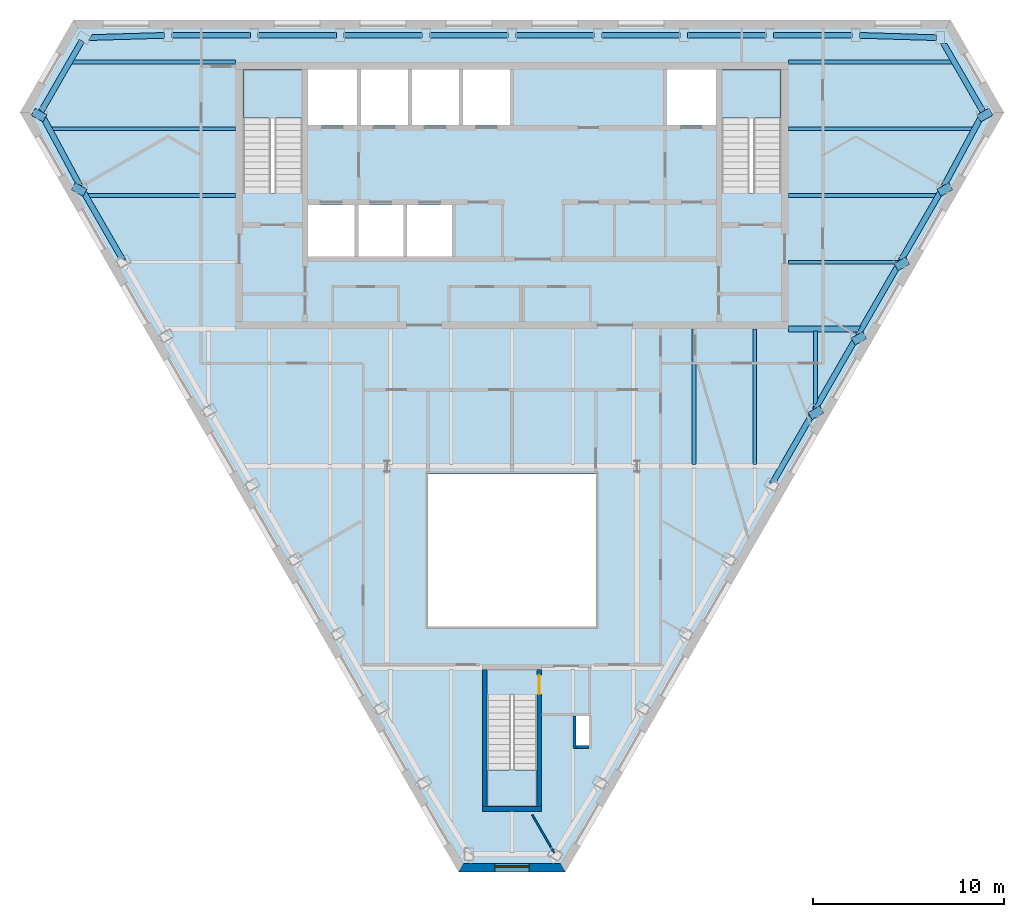
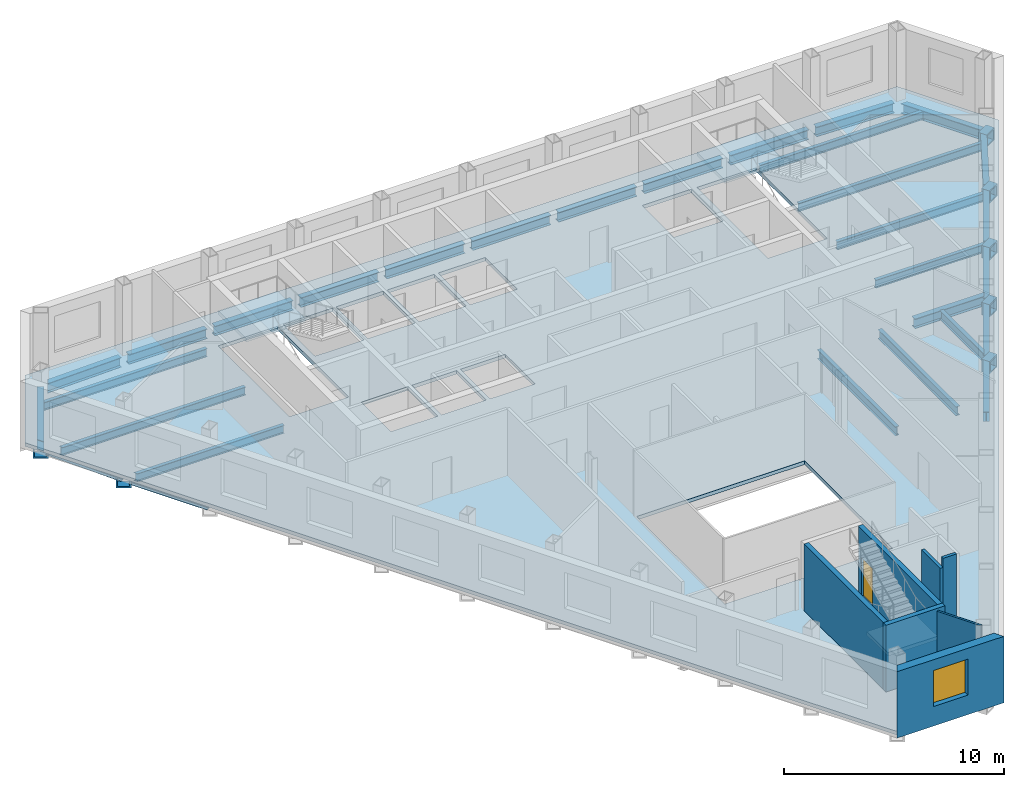
# One storey, part 3 of 10: 37 beams, 7 walls, 4 slabs, 1 door, 1 window, 2 openings, 3 elements without a shape of their own.
"""IFC4 building model written with IfcOpenShell, lengths in metres."""

import ifcopenshell
import ifcopenshell.guid

model = None  # the IFC model being written
_history = None  # IfcOwnerHistory: only IFC2X3 demands one
_inside = {}  # id of a spatial element -> (the spatial element, [elements in it])
_under = {}  # id of a project, library or spatial element -> (it, [spatial elements below it])
_declared = {}  # id of a project -> (the project, [libraries it declares])
_typed = {}  # id of a type object -> (the type object, [elements of that type])
_made_of = {}  # id of a material, layer set ... -> (it, [elements and type objects made of it])


def new_model(schema):
    """Start an empty IFC model of exactly this schema.

    Asked for "IFC4X3", IfcOpenShell would pick the latest addendum, in which some entities
    have other attributes; the version numbers below select the first issue.
    IFC2X3 requires an IfcOwnerHistory on every rooted entity: one is made here for all.
    """
    global model, _history
    if schema == "IFC4X3":
        model = ifcopenshell.file(schema_version=(4, 3, 0, 0))
    else:
        model = ifcopenshell.file(schema=schema)
    _inside.clear()
    _under.clear()
    _declared.clear()
    _typed.clear()
    _made_of.clear()
    _history = None
    if model.schema == "IFC2X3":
        org = make("IfcOrganization", Name="unknown")
        user = make(
            "IfcPersonAndOrganization",
            ThePerson=make("IfcPerson", FamilyName="unknown"),
            TheOrganization=org,
        )
        app = make(
            "IfcApplication",
            ApplicationDeveloper=org,
            Version="unknown",
            ApplicationFullName="unknown",
            ApplicationIdentifier="unknown",
        )
        _history = make(
            "IfcOwnerHistory",
            OwningUser=user,
            OwningApplication=app,
            ChangeAction="ADDED",
            CreationDate=0,
        )
    return model


def make(cls, **values):
    """One entity of the class cls with the attributes given. An attribute that is None is left unset."""
    return model.create_entity(
        cls, **{name: value for name, value in values.items() if value is not None}
    )


def rooted(cls, **values):
    """An entity with a GlobalId (a new one), such as an element, a storey or a relation."""
    return make(cls, GlobalId=ifcopenshell.guid.new(), OwnerHistory=_history, **values)


def si_unit(unit_type, name, prefix=None):
    """IfcSIUnit, for example si_unit("LENGTHUNIT", "METRE", prefix="MILLI")."""
    return make("IfcSIUnit", UnitType=unit_type, Prefix=prefix, Name=name)


def assignment(units):
    """IfcUnitAssignment: the units of a project."""
    return None if units is None else make("IfcUnitAssignment", Units=units)


def point(xyz):
    """IfcCartesianPoint."""
    return None if xyz is None else make("IfcCartesianPoint", Coordinates=xyz)


def direction(xyz):
    """IfcDirection."""
    return None if xyz is None else make("IfcDirection", DirectionRatios=xyz)


def frame(location, z_axis=None, x_axis=None):
    """IfcAxis2Placement3D, a coordinate frame: its origin and axes. An axis left out is left unset."""
    return make(
        "IfcAxis2Placement3D",
        Location=point(location),
        Axis=direction(z_axis),
        RefDirection=direction(x_axis),
    )


def frame_2d(location, x_axis=None):
    """IfcAxis2Placement2D, a coordinate frame in the plane: its origin and x axis."""
    return make(
        "IfcAxis2Placement2D", Location=point(location), RefDirection=direction(x_axis)
    )


def origin():
    """The frame at (0, 0, 0) with its axes left unset."""
    return frame((0.0, 0.0, 0.0))


def origin_2d():
    """The frame at (0, 0) in the plane with its x axis left unset."""
    return frame_2d((0.0, 0.0))


def place(relative_to, where):
    """IfcLocalPlacement: puts the frame where relative to a parent placement (None: the world)."""
    return make(
        "IfcLocalPlacement", PlacementRelTo=relative_to, RelativePlacement=where
    )


def context(
    kind, dimensions, precision=None, world=None, true_north=None, identifier=None
):
    """IfcGeometricRepresentationContext, for example the 3D "Model" context."""
    return make(
        "IfcGeometricRepresentationContext",
        ContextIdentifier=identifier,
        ContextType=kind,
        CoordinateSpaceDimension=dimensions,
        Precision=precision,
        WorldCoordinateSystem=world,
        TrueNorth=true_north,
    )


def subcontext(parent, identifier, kind, view, scale=None):
    """IfcGeometricRepresentationSubContext, for example "Body" below "Model"."""
    return make(
        "IfcGeometricRepresentationSubContext",
        ContextIdentifier=identifier,
        ContextType=kind,
        ParentContext=parent,
        TargetScale=scale,
        TargetView=view,
    )


def project(units=None, contexts=None):
    """IfcProject with its units and contexts."""
    return rooted(
        "IfcProject",
        Name="project",
        RepresentationContexts=contexts,
        UnitsInContext=assignment(units),
    )


def spatial(cls, under=None, at=None, **own):
    """A site, building, storey or space (cls), placed at a placement, below another one or the project."""
    s = rooted(cls, ObjectPlacement=at, **own)
    if under is not None:
        _under.setdefault(under.id(), (under, []))[1].append(s)
    return s


def polyline(points):
    """IfcPolyline through the points."""
    return make("IfcPolyline", Points=[point(p) for p in points])


def profile(cls, at=None, kind="AREA", **sizes):
    """A parametric profile (cls). Its sizes go by their IFC names, for example OverallWidth=200.0."""
    return make(cls, ProfileType=kind, Position=at, **sizes)


def rectangle(**sizes):
    """IfcRectangleProfileDef."""
    return profile("IfcRectangleProfileDef", **sizes)


def hollow_rectangle(**sizes):
    """IfcRectangleHollowProfileDef."""
    return profile("IfcRectangleHollowProfileDef", **sizes)


def i_section(**sizes):
    """IfcIShapeProfileDef."""
    return profile("IfcIShapeProfileDef", **sizes)


def outline(outer, holes=None, kind="AREA"):
    """IfcArbitraryClosedProfileDef: a profile drawn as a closed curve; with holes, ...WithVoids."""
    if holes is None:
        return make("IfcArbitraryClosedProfileDef", ProfileType=kind, OuterCurve=outer)
    return make(
        "IfcArbitraryProfileDefWithVoids",
        ProfileType=kind,
        OuterCurve=outer,
        InnerCurves=holes,
    )


def extrude(swept, where, along, depth):
    """IfcExtrudedAreaSolid: the profile swept, set in the frame where, extruded along a direction by depth."""
    return make(
        "IfcExtrudedAreaSolid",
        SweptArea=swept,
        Position=where,
        ExtrudedDirection=direction(along),
        Depth=depth,
    )


def clip(a, b, op="DIFFERENCE"):
    """IfcBooleanClippingResult: the solid a cut by the half space b."""
    return make(
        "IfcBooleanClippingResult", Operator=op, FirstOperand=a, SecondOperand=b
    )


def halfspace(plane, agree):
    """IfcHalfSpaceSolid: all space on one side of the plane z = 0 of the frame plane."""
    return make(
        "IfcHalfSpaceSolid",
        BaseSurface=make("IfcPlane", Position=plane),
        AgreementFlag=agree,
    )


def shape(context_of_items, identifier, shape_type, items):
    """IfcShapeRepresentation: the items that make up one representation, for example the "Body"."""
    return make(
        "IfcShapeRepresentation",
        ContextOfItems=context_of_items,
        RepresentationIdentifier=identifier,
        RepresentationType=shape_type,
        Items=items,
    )


def material(Name=None, Category=None):
    """IfcMaterial."""
    return make("IfcMaterial", Name=Name, Category=Category)


def layer(
    of_material, thickness, ventilated=None, Name=None, Category=None, Priority=None
):
    """IfcMaterialLayer: one layer of a wall or slab, of a material (None: an air gap)."""
    return make(
        "IfcMaterialLayer",
        Material=of_material,
        LayerThickness=thickness,
        IsVentilated=ventilated,
        Name=Name,
        Category=Category,
        Priority=Priority,
    )


def layer_set(layers, Name=None):
    """IfcMaterialLayerSet."""
    return make("IfcMaterialLayerSet", MaterialLayers=layers, LayerSetName=Name)


def material_profile(
    of_material, cross_section, Name=None, Category=None, Priority=None
):
    """IfcMaterialProfile: a cross section and its material."""
    return make(
        "IfcMaterialProfile",
        Name=Name,
        Material=of_material,
        Profile=cross_section,
        Priority=Priority,
        Category=Category,
    )


def profile_set(profiles, Name=None, composite=None):
    """IfcMaterialProfileSet."""
    return make(
        "IfcMaterialProfileSet",
        Name=Name,
        MaterialProfiles=profiles,
        CompositeProfile=composite,
    )


def made_of(thing, what):
    """Note that an element or type object is made of a material, layer set ...; save() writes the relation."""
    if what is not None:
        _made_of.setdefault(what.id(), (what, []))[1].append(thing)
    return thing


def type_object(cls, material=None, **own):
    """A type object (cls), such as IfcWallType, which elements share."""
    return made_of(rooted(cls, **own), material)


def element(
    cls,
    number,
    at=None,
    inside=None,
    cuts=None,
    type_object=None,
    material=None,
    context=None,
    identifier="Body",
    shape_type=None,
    held_by="IfcProductDefinitionShape",
    body=None,
    shapes=None,
    **own,
):
    """One element of the class cls, such as IfcWall. Its Tag is "e" and its number.

    at: its placement. inside: the storey or other place that contains it. cuts: it is an
    opening in that element (IfcRelVoidsElement). A single representation is given by context,
    identifier, shape_type and body (its items); several are given by shapes. held_by: the class
    of the entity that holds the representations. save() writes the other relations.
    """
    e = rooted(cls, Tag="e%d" % number, ObjectPlacement=at, **own)
    if body is not None:
        shapes = [shape(context, identifier, shape_type, body)]
    if shapes is not None:
        e.Representation = make(held_by, Representations=shapes)
    if inside is not None:
        _inside.setdefault(inside.id(), (inside, []))[1].append(e)
    if cuts is not None:
        rooted(
            "IfcRelVoidsElement", RelatingBuildingElement=cuts, RelatedOpeningElement=e
        )
    if type_object is not None:
        _typed.setdefault(type_object.id(), (type_object, []))[1].append(e)
    return made_of(e, material)


def fill(opening, filler):
    """IfcRelFillsElement: the door or window that sits in an opening."""
    return rooted(
        "IfcRelFillsElement",
        RelatingOpeningElement=opening,
        RelatedBuildingElement=filler,
    )


def aggregate(whole, parts):
    """IfcRelAggregates: a whole, such as a stair, and the parts it consists of."""
    return rooted("IfcRelAggregates", RelatingObject=whole, RelatedObjects=parts)


def save(model, path):
    """Write the relations noted so far, then the file.

    IfcRelAggregates (storeys below a building ...), IfcRelContainedInSpatialStructure (elements
    in a storey), IfcRelDefinesByType, IfcRelAssociatesMaterial and IfcRelDeclares: one each for
    every whole, place, type object, material and project.
    """
    for whole, parts in _under.values():
        aggregate(whole, parts)
    for where, things in _inside.values():
        rooted(
            "IfcRelContainedInSpatialStructure",
            RelatedElements=things,
            RelatingStructure=where,
        )
    for kind, things in _typed.values():
        rooted("IfcRelDefinesByType", RelatedObjects=things, RelatingType=kind)
    for what, things in _made_of.values():
        rooted("IfcRelAssociatesMaterial", RelatedObjects=things, RelatingMaterial=what)
    for by, libraries in _declared.values():
        rooted("IfcRelDeclares", RelatingContext=by, RelatedDefinitions=libraries)
    model.write(path)


model = new_model("IFC4")

# Units and contexts
model_context = context("Model", 3, precision=1e-05, world=origin(), true_north=direction((0.0, 1.0)))
body_context = subcontext(model_context, "Body", "Model", "MODEL_VIEW")
ifc_project = project(units=[si_unit("LENGTHUNIT", "METRE"), si_unit("AREAUNIT", "SQUARE_METRE"), si_unit("VOLUMEUNIT", "CUBIC_METRE"), si_unit("PLANEANGLEUNIT", "RADIAN"), si_unit("MASSUNIT", "GRAM", prefix="KILO")], contexts=[model_context])

# Site, building, storey
site_placement = place(None, origin())
site = spatial("IfcSite", under=ifc_project, at=site_placement, CompositionType="ELEMENT")
building_placement = place(site_placement, origin())
building = spatial("IfcBuilding", under=site, at=building_placement, Name="Njiva Tower", CompositionType="ELEMENT")
storey_placement = place(building_placement, frame((0.0, 0.0, 268.8)))
storey = spatial("IfcBuildingStorey", under=building, at=storey_placement, Name="L61", CompositionType="ELEMENT", Elevation=268.8)

# Beams
ifc_material_1 = material(Name="Steel S355 J2", Category="steel")
ifc_material_profile_1 = material_profile(ifc_material_1, hollow_rectangle(XDim=0.7, YDim=0.7, WallThickness=0.08, at=origin_2d()), Name="BOX 700x700x80")
ifc_profile_set_1 = profile_set([ifc_material_profile_1], Name="Steel S355 J2")
beam_type_1 = type_object("IfcBeamType", Name="B19 Column jog beam BOX 700x700x80", PredefinedType="BEAM", material=ifc_profile_set_1)
beam_1_placement = place(storey_placement, frame((-24.902, 15.03, -0.55), z_axis=(0.488031691324, 0.872825909482, 0.0), x_axis=(-0.872825909482, 0.488031691324, 0.0)))
element("IfcBeam", 1, at=beam_1_placement, inside=storey, type_object=beam_type_1, Name="Column jog beam S20-B015", PredefinedType="BEAM", context=body_context, shape_type="SweptSolid", body=[
    extrude(hollow_rectangle(XDim=0.7, YDim=0.7, WallThickness=0.08, at=origin_2d()), origin(), (0.0, 0.0, 1.0), 0.4262),
])
beam_2_placement = place(storey_placement, frame((-22.802, 11.127, -0.55), z_axis=(0.489816096979, 0.871825780268, 0.0), x_axis=(-0.871825780268, 0.489816096979, 0.0)))
element("IfcBeam", 2, at=beam_2_placement, inside=storey, type_object=beam_type_1, Name="Column jog beam S20-B016", PredefinedType="BEAM", context=body_context, shape_type="SweptSolid", body=[
    extrude(hollow_rectangle(XDim=0.7, YDim=0.7, WallThickness=0.08, at=origin_2d()), origin(), (0.0, 0.0, 1.0), 0.4267),
])
beam_3_placement = place(storey_placement, frame((16.043, -0.582, -0.55), z_axis=(-0.498162050838, 0.867083946977, 0.0), x_axis=(-0.867083946977, -0.498162050838, 0.0)))
element("IfcBeam", 3, at=beam_3_placement, inside=storey, type_object=beam_type_1, Name="Column jog beam S20-B034", PredefinedType="BEAM", context=body_context, shape_type="SweptSolid", body=[
    extrude(hollow_rectangle(XDim=0.7, YDim=0.7, WallThickness=0.08, at=origin_2d()), origin(), (0.0, 0.0, 1.0), 0.4256),
])
beam_4_placement = place(storey_placement, frame((18.296, 3.321, -0.55), z_axis=(-0.495380237546, 0.868676245933, 0.0), x_axis=(-0.868676245933, -0.495380237546, 0.0)))
element("IfcBeam", 4, at=beam_4_placement, inside=storey, type_object=beam_type_1, Name="Column jog beam S20-B035", PredefinedType="BEAM", context=body_context, shape_type="SweptSolid", body=[
    extrude(hollow_rectangle(XDim=0.7, YDim=0.7, WallThickness=0.08, at=origin_2d()), origin(), (0.0, 0.0, 1.0), 0.4259),
])
beam_5_placement = place(storey_placement, frame((20.55, 7.224, -0.55), z_axis=(-0.49437165503, 0.869250635147, 0.0), x_axis=(-0.869250635147, -0.49437165503, 0.0)))
element("IfcBeam", 5, at=beam_5_placement, inside=storey, type_object=beam_type_1, Name="Column jog beam S20-B036", PredefinedType="BEAM", context=body_context, shape_type="SweptSolid", body=[
    extrude(hollow_rectangle(XDim=0.7, YDim=0.7, WallThickness=0.08, at=origin_2d()), origin(), (0.0, 0.0, 1.0), 0.4268),
])
beam_6_placement = place(storey_placement, frame((22.802, 11.127, -0.55), z_axis=(-0.489816096979, 0.871825780268, 0.0), x_axis=(-0.871825780268, -0.489816096979, 0.0)))
element("IfcBeam", 6, at=beam_6_placement, inside=storey, type_object=beam_type_1, Name="Column jog beam S20-B037", PredefinedType="BEAM", context=body_context, shape_type="SweptSolid", body=[
    extrude(hollow_rectangle(XDim=0.7, YDim=0.7, WallThickness=0.08, at=origin_2d()), origin(), (0.0, 0.0, 1.0), 0.4267),
])
beam_7_placement = place(storey_placement, frame((24.902, 15.03, -0.55), z_axis=(-0.488031691324, 0.872825909482, 0.0), x_axis=(-0.872825909482, -0.488031691324, 0.0)))
element("IfcBeam", 7, at=beam_7_placement, inside=storey, type_object=beam_type_1, Name="Column jog beam S20-B038", PredefinedType="BEAM", context=body_context, shape_type="SweptSolid", body=[
    extrude(hollow_rectangle(XDim=0.7, YDim=0.7, WallThickness=0.08, at=origin_2d()), origin(), (0.0, 0.0, 1.0), 0.4262),
])
ifc_material_profile_2 = material_profile(ifc_material_1, i_section(OverallWidth=0.19, OverallDepth=0.45, WebThickness=0.0094, FlangeThickness=0.0146, at=origin_2d()), Name="IPE 450")
ifc_profile_set_2 = profile_set([ifc_material_profile_2], Name="Steel S355 J2")
beam_type_2 = type_object("IfcBeamType", Name="B37 Floor beam to the core IPE 450", PredefinedType="BEAM", material=ifc_profile_set_2)
beam_8_placement = place(storey_placement, frame((14.5, 7.5, -0.425), z_axis=(1.0, 0.0, 0.0), x_axis=(0.0, 1.0, 0.0)))
element("IfcBeam", 8, at=beam_8_placement, inside=storey, type_object=beam_type_2, Name="Floor beam to the core S20-B007", PredefinedType="BEAM", context=body_context, shape_type="Clipping", body=[
    clip(extrude(i_section(OverallWidth=0.19, OverallDepth=0.45, WebThickness=0.0094, FlangeThickness=0.0146, at=origin_2d()), origin(), (0.0, 0.0, 1.0), 5.878), halfspace(frame((-0.025, 0.0, 5.7885), z_axis=(-0.499998009787, 0.0, 0.866026552831), x_axis=(0.0, 1.0, 0.0)), False)),
])
beam_9_placement = place(storey_placement, frame((-22.324, 11.0, -0.425), z_axis=(1.0, 0.0, 0.0), x_axis=(0.0, 1.0, 0.0)))
element("IfcBeam", 9, at=beam_9_placement, inside=storey, type_object=beam_type_2, Name="Floor beam to the core S20-B003", PredefinedType="BEAM", context=body_context, shape_type="Clipping", body=[
    clip(extrude(i_section(OverallWidth=0.19, OverallDepth=0.45, WebThickness=0.0094, FlangeThickness=0.0146, at=origin_2d()), origin(), (0.0, 0.0, 1.0), 7.824), halfspace(frame((-0.025, 0.0, 0.0893), z_axis=(-0.499998009787, 0.0, -0.866026552831), x_axis=(0.0, -1.0, 0.0)), False)),
])
beam_10_placement = place(storey_placement, frame((14.5, 11.0, -0.425), z_axis=(1.0, 0.0, 0.0), x_axis=(0.0, 1.0, 0.0)))
element("IfcBeam", 10, at=beam_10_placement, inside=storey, type_object=beam_type_2, Name="Floor beam to the core S20-B008", PredefinedType="BEAM", context=body_context, shape_type="Clipping", body=[
    clip(extrude(i_section(OverallWidth=0.19, OverallDepth=0.45, WebThickness=0.0094, FlangeThickness=0.0146, at=origin_2d()), origin(), (0.0, 0.0, 1.0), 7.824), halfspace(frame((-0.025, 0.0, 7.7347), z_axis=(-0.499998009787, 0.0, 0.866026552831), x_axis=(0.0, 1.0, 0.0)), False)),
])
beam_11_placement = place(storey_placement, frame((-23.152, 18.0, -0.425), z_axis=(1.0, 0.0, 0.0), x_axis=(0.0, 1.0, 0.0)))
element("IfcBeam", 11, at=beam_11_placement, inside=storey, type_object=beam_type_2, Name="Floor beam to the core S20-B002", PredefinedType="BEAM", context=body_context, shape_type="Clipping", body=[
    clip(extrude(i_section(OverallWidth=0.19, OverallDepth=0.45, WebThickness=0.0094, FlangeThickness=0.0146, at=origin_2d()), origin(), (0.0, 0.0, 1.0), 8.652), halfspace(frame((0.025, 0.0, 0.0892), z_axis=(0.499998009787, 0.0, -0.866026552831), x_axis=(0.0, -1.0, 0.0)), False)),
])
beam_12_placement = place(storey_placement, frame((14.5, 18.0, -0.425), z_axis=(1.0, 0.0, 0.0), x_axis=(0.0, 1.0, 0.0)))
element("IfcBeam", 12, at=beam_12_placement, inside=storey, type_object=beam_type_2, Name="Floor beam to the core S20-B010", PredefinedType="BEAM", context=body_context, shape_type="Clipping", body=[
    clip(extrude(i_section(OverallWidth=0.19, OverallDepth=0.45, WebThickness=0.0094, FlangeThickness=0.0146, at=origin_2d()), origin(), (0.0, 0.0, 1.0), 8.652), halfspace(frame((0.025, 0.0, 8.5628), z_axis=(0.499998009787, 0.0, 0.866026552831), x_axis=(0.0, 1.0, 0.0)), False)),
])
ifc_material_profile_3 = material_profile(ifc_material_1, i_section(OverallWidth=0.3, OverallDepth=0.54, WebThickness=0.0125, FlangeThickness=0.024, at=origin_2d()), Name="HEA 550")
ifc_profile_set_3 = profile_set([ifc_material_profile_3], Name="Steel S355 J2")
beam_type_3 = type_object("IfcBeamType", Name="B39 Short-span spandrel beam HEA 550", PredefinedType="SPANDREL", material=ifc_profile_set_3)
beam_13_placement = place(storey_placement, frame((22.252, 19.273, -0.47), z_axis=(-0.999547767332, 0.030070929848, 0.0), x_axis=(-0.030070929848, -0.999547767332, 0.0)))
element("IfcBeam", 13, at=beam_13_placement, inside=storey, type_object=beam_type_3, Name="Short-span spandrel beam S20-B121", PredefinedType="SPANDREL", context=body_context, shape_type="SweptSolid", body=[
    extrude(i_section(OverallWidth=0.3, OverallDepth=0.54, WebThickness=0.0125, FlangeThickness=0.024, at=origin_2d()), origin(), (0.0, 0.0, 1.0), 4.0238),
])
beam_14_placement = place(storey_placement, frame((17.826, 19.4, -0.47), z_axis=(-1.0, 0.0, 0.0), x_axis=(0.0, -1.0, 0.0)))
element("IfcBeam", 14, at=beam_14_placement, inside=storey, type_object=beam_type_3, Name="Short-span spandrel beam S20-B116", PredefinedType="SPANDREL", context=body_context, shape_type="SweptSolid", body=[
    extrude(i_section(OverallWidth=0.3, OverallDepth=0.54, WebThickness=0.0125, FlangeThickness=0.024, at=origin_2d()), origin(), (0.0, 0.0, 1.0), 4.106),
])
beam_15_placement = place(storey_placement, frame((13.32, 19.4, -0.47), z_axis=(-1.0, 0.0, 0.0), x_axis=(0.0, -1.0, 0.0)))
element("IfcBeam", 15, at=beam_15_placement, inside=storey, type_object=beam_type_3, Name="Short-span spandrel beam S20-B111", PredefinedType="SPANDREL", context=body_context, shape_type="SweptSolid", body=[
    extrude(i_section(OverallWidth=0.3, OverallDepth=0.54, WebThickness=0.0125, FlangeThickness=0.024, at=origin_2d()), origin(), (0.0, 0.0, 1.0), 4.107),
])
beam_16_placement = place(storey_placement, frame((8.813, 19.4, -0.47), z_axis=(-1.0, 0.0, 0.0), x_axis=(0.0, -1.0, 0.0)))
element("IfcBeam", 16, at=beam_16_placement, inside=storey, type_object=beam_type_3, Name="Short-span spandrel beam S20-B105", PredefinedType="SPANDREL", context=body_context, shape_type="SweptSolid", body=[
    extrude(i_section(OverallWidth=0.3, OverallDepth=0.54, WebThickness=0.0125, FlangeThickness=0.024, at=origin_2d()), origin(), (0.0, 0.0, 1.0), 4.106),
])
for number, where, z_axis, x_axis, name in (
    (17, (4.307, 19.4, -0.47), (-1.0, 0.0, 0.0), (0.0, -1.0, 0.0), "Short-span spandrel beam S20-B100"),
    (18, (-0.2, 19.4, -0.47), (-1.0, 0.0, 0.0), (0.0, -1.0, 0.0), "Short-span spandrel beam S20-B097"),
):
    element("IfcBeam", number, at=place(storey_placement, frame(where, z_axis=z_axis, x_axis=x_axis)), inside=storey, type_object=beam_type_3, Name=name, PredefinedType="SPANDREL", context=body_context, shape_type="SweptSolid", body=[
        extrude(i_section(OverallWidth=0.3, OverallDepth=0.54, WebThickness=0.0125, FlangeThickness=0.024, at=origin_2d()), origin(), (0.0, 0.0, 1.0), 4.107),
    ])
beam_17_placement = place(storey_placement, frame((-4.707, 19.4, -0.47), z_axis=(-1.0, 0.0, 0.0), x_axis=(0.0, -1.0, 0.0)))
element("IfcBeam", 19, at=beam_17_placement, inside=storey, type_object=beam_type_3, Name="Short-span spandrel beam S20-B092", PredefinedType="SPANDREL", context=body_context, shape_type="SweptSolid", body=[
    extrude(i_section(OverallWidth=0.3, OverallDepth=0.54, WebThickness=0.0125, FlangeThickness=0.024, at=origin_2d()), origin(), (0.0, 0.0, 1.0), 4.106),
])
beam_18_placement = place(storey_placement, frame((-9.213, 19.4, -0.47), z_axis=(-1.0, 0.0, 0.0), x_axis=(0.0, -1.0, 0.0)))
element("IfcBeam", 20, at=beam_18_placement, inside=storey, type_object=beam_type_3, Name="Short-span spandrel beam S20-B086", PredefinedType="SPANDREL", context=body_context, shape_type="SweptSolid", body=[
    extrude(i_section(OverallWidth=0.3, OverallDepth=0.54, WebThickness=0.0125, FlangeThickness=0.024, at=origin_2d()), origin(), (0.0, 0.0, 1.0), 4.107),
])
beam_19_placement = place(storey_placement, frame((-13.72, 19.4, -0.47), z_axis=(-1.0, 0.0, 0.0), x_axis=(0.0, -1.0, 0.0)))
element("IfcBeam", 21, at=beam_19_placement, inside=storey, type_object=beam_type_3, Name="Short-span spandrel beam S20-B081", PredefinedType="SPANDREL", context=body_context, shape_type="SweptSolid", body=[
    extrude(i_section(OverallWidth=0.3, OverallDepth=0.54, WebThickness=0.0125, FlangeThickness=0.024, at=origin_2d()), origin(), (0.0, 0.0, 1.0), 4.106),
])
beam_20_placement = place(storey_placement, frame((-18.23, 19.394, -0.47), z_axis=(-0.999551772067, -0.029937517573, 0.0), x_axis=(0.029937517573, -0.999551772067, 0.0)))
element("IfcBeam", 22, at=beam_20_placement, inside=storey, type_object=beam_type_3, Name="Short-span spandrel beam S20-B076", PredefinedType="SPANDREL", context=body_context, shape_type="Clipping", body=[
    clip(extrude(i_section(OverallWidth=0.3, OverallDepth=0.54, WebThickness=0.0125, FlangeThickness=0.024, at=origin_2d()), origin(), (0.0, 0.0, 1.0), 3.9877), halfspace(frame((-0.0259, 0.0, 3.859), z_axis=(-0.525700581856, 0.0, 0.850669676335), x_axis=(0.0, 1.0, 0.0)), False)),
])
beam_21_placement = place(storey_placement, frame((-22.56, 19.096, -0.47), z_axis=(-0.500005339912, -0.866022320763, 0.0), x_axis=(0.866022320763, -0.500005339912, 0.0)))
element("IfcBeam", 23, at=beam_21_placement, inside=storey, type_object=beam_type_3, Name="Short-span spandrel beam S20-B069", PredefinedType="SPANDREL", context=body_context, shape_type="Clipping", body=[
    clip(extrude(i_section(OverallWidth=0.3, OverallDepth=0.54, WebThickness=0.0125, FlangeThickness=0.024, at=origin_2d()), origin(), (0.0, 0.0, 1.0), 4.391), halfspace(frame((-0.0249, 0.0, 4.2697), z_axis=(-0.499996650286, 0.0, 0.866027337734), x_axis=(0.0, 1.0, 0.0)), False)),
])
beam_22_placement = place(storey_placement, frame((-24.552, 15.032, -0.47), z_axis=(0.473833234229, -0.880614595689, 0.0), x_axis=(0.880614595689, 0.473833234229, 0.0)))
element("IfcBeam", 24, at=beam_22_placement, inside=storey, type_object=beam_type_3, Name="Short-span spandrel beam S20-B071", PredefinedType="SPANDREL", context=body_context, shape_type="SweptSolid", body=[
    extrude(i_section(OverallWidth=0.3, OverallDepth=0.54, WebThickness=0.0125, FlangeThickness=0.024, at=origin_2d()), origin(), (0.0, 0.0, 1.0), 4.0267),
])
beam_23_placement = place(storey_placement, frame((-22.444, 11.138, -0.47), z_axis=(0.49988405051, -0.866092336905, 0.0), x_axis=(0.866092336905, 0.49988405051, 0.0)))
element("IfcBeam", 25, at=beam_23_placement, inside=storey, type_object=beam_type_3, Name="Short-span spandrel beam S20-B074", PredefinedType="SPANDREL", context=body_context, shape_type="SweptSolid", body=[
    extrude(i_section(OverallWidth=0.3, OverallDepth=0.54, WebThickness=0.0125, FlangeThickness=0.024, at=origin_2d()), origin(), (0.0, 0.0, 1.0), 4.107),
])
beam_24_placement = place(storey_placement, frame((13.631, -4.127, -0.47), z_axis=(0.499989486807, 0.866031473494, 0.0), x_axis=(-0.866031473494, 0.499989486807, 0.0)))
element("IfcBeam", 26, at=beam_24_placement, inside=storey, type_object=beam_type_3, Name="Short-span spandrel beam S20-B114", PredefinedType="SPANDREL", context=body_context, shape_type="SweptSolid", body=[
    extrude(i_section(OverallWidth=0.3, OverallDepth=0.54, WebThickness=0.0125, FlangeThickness=0.024, at=origin_2d()), origin(), (0.0, 0.0, 1.0), 4.1061),
])
beam_25_placement = place(storey_placement, frame((15.884, -0.225, -0.47), z_axis=(0.49988405051, 0.866092336905, 0.0), x_axis=(-0.866092336905, 0.49988405051, 0.0)))
element("IfcBeam", 27, at=beam_25_placement, inside=storey, type_object=beam_type_3, Name="Short-span spandrel beam S20-B117", PredefinedType="SPANDREL", context=body_context, shape_type="SweptSolid", body=[
    extrude(i_section(OverallWidth=0.3, OverallDepth=0.54, WebThickness=0.0125, FlangeThickness=0.024, at=origin_2d()), origin(), (0.0, 0.0, 1.0), 4.107),
])
beam_26_placement = place(storey_placement, frame((18.137, 3.678, -0.47), z_axis=(0.500066662559, 0.865986912717, 0.0), x_axis=(-0.865986912717, 0.500066662559, 0.0)))
element("IfcBeam", 28, at=beam_26_placement, inside=storey, type_object=beam_type_3, Name="Short-span spandrel beam S20-B119", PredefinedType="SPANDREL", context=body_context, shape_type="SweptSolid", body=[
    extrude(i_section(OverallWidth=0.3, OverallDepth=0.54, WebThickness=0.0125, FlangeThickness=0.024, at=origin_2d()), origin(), (0.0, 0.0, 1.0), 4.1075),
])
beam_27_placement = place(storey_placement, frame((20.391, 7.581, -0.47), z_axis=(0.49988405051, 0.866092336905, 0.0), x_axis=(-0.866092336905, 0.49988405051, 0.0)))
element("IfcBeam", 29, at=beam_27_placement, inside=storey, type_object=beam_type_3, Name="Short-span spandrel beam S20-B123", PredefinedType="SPANDREL", context=body_context, shape_type="SweptSolid", body=[
    extrude(i_section(OverallWidth=0.3, OverallDepth=0.54, WebThickness=0.0125, FlangeThickness=0.024, at=origin_2d()), origin(), (0.0, 0.0, 1.0), 4.107),
])
beam_28_placement = place(storey_placement, frame((22.644, 11.486, -0.47), z_axis=(0.47381439422, 0.880624732692, 0.0), x_axis=(-0.880624732692, 0.47381439422, 0.0)))
element("IfcBeam", 30, at=beam_28_placement, inside=storey, type_object=beam_type_3, Name="Short-span spandrel beam S20-B127", PredefinedType="SPANDREL", context=body_context, shape_type="SweptSolid", body=[
    extrude(i_section(OverallWidth=0.3, OverallDepth=0.54, WebThickness=0.0125, FlangeThickness=0.024, at=origin_2d()), origin(), (0.0, 0.0, 1.0), 4.3878),
])
beam_29_placement = place(storey_placement, frame((24.723, 15.35, -0.47), z_axis=(-0.500130008358, 0.865950330412, 0.0), x_axis=(-0.865950330412, -0.500130008358, 0.0)))
element("IfcBeam", 31, at=beam_29_placement, inside=storey, type_object=beam_type_3, Name="Short-span spandrel beam S20-B126", PredefinedType="SPANDREL", context=body_context, shape_type="Clipping", body=[
    clip(extrude(i_section(OverallWidth=0.3, OverallDepth=0.54, WebThickness=0.0125, FlangeThickness=0.024, at=origin_2d()), origin(), (0.0, 0.0, 1.0), 4.2839), halfspace(frame((-0.0254, 0.0, 4.1623), z_axis=(-0.500130008358, 0.0, 0.865950330412), x_axis=(0.0, 1.0, 0.0)), False)),
])
ifc_material_profile_4 = material_profile(ifc_material_1, i_section(OverallWidth=0.3, OverallDepth=0.54, WebThickness=0.0125, FlangeThickness=0.024, at=origin_2d()), Name="HEA 550")
ifc_profile_set_4 = profile_set([ifc_material_profile_4], Name="Steel S355 J2")
beam_type_4 = type_object("IfcBeamType", Name="B41 Short-span floor girder HEA 550", PredefinedType="BEAM", material=ifc_profile_set_4)
beam_30_placement = place(storey_placement, frame((14.5, 4.0, -0.47), z_axis=(1.0, 0.0, 0.0), x_axis=(0.0, 1.0, 0.0)))
element("IfcBeam", 32, at=beam_30_placement, inside=storey, type_object=beam_type_4, Name="Short-span floor girder S20-B014", PredefinedType="BEAM", context=body_context, shape_type="Clipping", body=[
    clip(extrude(i_section(OverallWidth=0.3, OverallDepth=0.54, WebThickness=0.0125, FlangeThickness=0.024, at=origin_2d()), origin(), (0.0, 0.0, 1.0), 3.815), halfspace(frame((-0.025, 0.0, 3.6933), z_axis=(-0.499998009787, 0.0, 0.866026552831), x_axis=(0.0, 1.0, 0.0)), False)),
])
ifc_material_profile_5 = material_profile(ifc_material_1, i_section(OverallWidth=0.2, OverallDepth=0.5, WebThickness=0.0102, FlangeThickness=0.016, at=origin_2d()), Name="IPE 500")
ifc_profile_set_5 = profile_set([ifc_material_profile_5], Name="Steel S355 J2")
beam_type_5 = type_object("IfcBeamType", Name="B42 Short-span floor joist IPE 500", PredefinedType="JOIST", material=ifc_profile_set_5)
beam_31_placement = place(storey_placement, frame((15.917, 3.9, -0.45), z_axis=(0.0, -1.0, 0.0), x_axis=(1.0, 0.0, 0.0)))
element("IfcBeam", 33, at=beam_31_placement, inside=storey, type_object=beam_type_5, Name="Short-span floor joist S20-B062", PredefinedType="JOIST", context=body_context, shape_type="Clipping", body=[
    clip(extrude(i_section(OverallWidth=0.2, OverallDepth=0.5, WebThickness=0.0102, FlangeThickness=0.016, at=origin_2d()), origin(), (0.0, 0.0, 1.0), 4.061), halfspace(frame((0.043, 0.0, 3.7932), z_axis=(0.866026552831, 0.0, 0.499998009787), x_axis=(0.0, 1.0, 0.0)), False)),
])
ifc_material_profile_6 = material_profile(ifc_material_1, i_section(OverallWidth=0.2, OverallDepth=0.5, WebThickness=0.0102, FlangeThickness=0.016, at=origin_2d()), Name="IPE 500")
ifc_profile_set_6 = profile_set([ifc_material_profile_6], Name="Steel S355 J2")
beam_type_6 = type_object("IfcBeamType", Name="B43 Floor joist IPE 500", PredefinedType="JOIST", material=ifc_profile_set_6)
for number, where, z_axis, x_axis, name in (
    (34, (9.55, 3.995, -0.45), (0.0, -1.0, 0.0), (1.0, 0.0, 0.0), "Floor joist S20-B058"),
    (35, (12.733, 3.995, -0.45), (0.0, -1.0, 0.0), (1.0, 0.0, 0.0), "Floor joist S20-B060"),
):
    element("IfcBeam", number, at=place(storey_placement, frame(where, z_axis=z_axis, x_axis=x_axis)), inside=storey, type_object=beam_type_6, Name=name, PredefinedType="JOIST", context=body_context, shape_type="SweptSolid", body=[
        extrude(i_section(OverallWidth=0.2, OverallDepth=0.5, WebThickness=0.0102, FlangeThickness=0.016, at=origin_2d()), origin(), (0.0, 0.0, 1.0), 7.095),
    ])
ifc_material_profile_7 = material_profile(ifc_material_1, i_section(OverallWidth=0.19, OverallDepth=0.45, WebThickness=0.0094, FlangeThickness=0.0146, at=origin_2d()), Name="IPE 450")
ifc_profile_set_7 = profile_set([ifc_material_profile_7], Name="Steel S355 J2")
beam_type_7 = type_object("IfcBeamType", Name="B45 Long-span floor beam to the core IPE 450", PredefinedType="BEAM", material=ifc_profile_set_7)
beam_32_placement = place(storey_placement, frame((-24.223, 14.5, -0.425), z_axis=(1.0, 0.0, 0.0), x_axis=(0.0, 1.0, 0.0)))
element("IfcBeam", 36, at=beam_32_placement, inside=storey, type_object=beam_type_7, Name="Long-span floor beam to the core S20-B001", PredefinedType="BEAM", context=body_context, shape_type="Clipping", body=[
    clip(extrude(i_section(OverallWidth=0.19, OverallDepth=0.45, WebThickness=0.0094, FlangeThickness=0.0146, at=origin_2d()), origin(), (0.0, 0.0, 1.0), 9.723), halfspace(frame((-0.0237, 0.0, 0.0842), z_axis=(-0.473769423091, 0.0, -0.880648927634), x_axis=(0.0, -1.0, 0.0)), False)),
])
beam_33_placement = place(storey_placement, frame((14.5, 14.5, -0.425), z_axis=(1.0, 0.0, 0.0), x_axis=(0.0, 1.0, 0.0)))
element("IfcBeam", 37, at=beam_33_placement, inside=storey, type_object=beam_type_7, Name="Long-span floor beam to the core S20-B009", PredefinedType="BEAM", context=body_context, shape_type="Clipping", body=[
    clip(extrude(i_section(OverallWidth=0.19, OverallDepth=0.45, WebThickness=0.0094, FlangeThickness=0.0146, at=origin_2d()), origin(), (0.0, 0.0, 1.0), 9.723), halfspace(frame((-0.0237, 0.0, 9.6388), z_axis=(-0.473769423091, 0.0, 0.880648927634), x_axis=(0.0, 1.0, 0.0)), False)),
])

# Stair, slab
ifc_material_2 = material(Name="Concrete C40/50", Category="concrete")
stair_type_1 = type_object("IfcStairType", Name="ST3 Exit stair 1450", PredefinedType="HALF_TURN_STAIR", material=ifc_material_2)
stair_1_placement = place(storey_placement, origin())
stair_1 = element("IfcStair", 38, at=stair_1_placement, inside=storey, type_object=stair_type_1, Name="Stair A", PredefinedType="HALF_TURN_STAIR")
ifc_layer_1 = layer(ifc_material_2, 0.2)
ifc_layer_set_1 = layer_set([ifc_layer_1], Name="Concrete C40/50")
slab_type_1 = type_object("IfcSlabType", Name="FL9 Stair landing 200", PredefinedType="LANDING", material=ifc_layer_set_1)
slab_1_placement = place(storey_placement, frame((0.0, 0.0, 1.75)))
slab_1 = element("IfcSlab", 39, at=slab_1_placement, type_object=slab_type_1, Name="ST-A landing 1", PredefinedType="LANDING", context=body_context, shape_type="SweptSolid", body=[
    extrude(outline(polyline([(-14.106, 15.06), (-10.994, 15.06), (-10.994, 17.6), (-14.106, 17.6), (-14.106, 15.06)])), origin(), (0.0, 0.0, 1.0), 0.2),
])
aggregate(stair_1, [slab_1])

stair_2_placement = place(storey_placement, origin())
stair_2 = element("IfcStair", 40, at=stair_2_placement, inside=storey, type_object=stair_type_1, Name="Stair B", PredefinedType="HALF_TURN_STAIR")
slab_2_placement = place(storey_placement, frame((0.0, 0.0, 1.75)))
slab_2 = element("IfcSlab", 41, at=slab_2_placement, type_object=slab_type_1, Name="ST-B landing 1", PredefinedType="LANDING", context=body_context, shape_type="SweptSolid", body=[
    extrude(outline(polyline([(10.994, 15.06), (14.106, 15.06), (14.106, 17.6), (10.994, 17.6), (10.994, 15.06)])), origin(), (0.0, 0.0, 1.0), 0.2),
])
aggregate(stair_2, [slab_2])

stair_type_2 = type_object("IfcStairType", Name="ST1 Exit stair 1250", PredefinedType="HALF_TURN_STAIR", material=ifc_material_2)
stair_3_placement = place(storey_placement, origin())
stair_3 = element("IfcStair", 42, at=stair_3_placement, inside=storey, type_object=stair_type_2, Name="Stair C", PredefinedType="HALF_TURN_STAIR")
slab_3_placement = place(storey_placement, frame((0.0, 0.0, 1.75)))
slab_3 = element("IfcSlab", 43, at=slab_3_placement, type_object=slab_type_1, Name="ST-C landing 1", PredefinedType="LANDING", context=body_context, shape_type="SweptSolid", body=[
    extrude(outline(polyline([(-1.306, -21.05), (1.306, -21.05), (1.306, -19.12), (-1.306, -19.12), (-1.306, -21.05)])), origin(), (0.0, 0.0, 1.0), 0.2),
])
aggregate(stair_3, [slab_3])

# Slab
ifc_material_3 = material(Name="Concrete C30/37", Category="concrete")
ifc_layer_2 = layer(ifc_material_3, 0.2)
ifc_layer_set_2 = layer_set([ifc_layer_2], Name="Concrete C30/37")
slab_type_2 = type_object("IfcSlabType", Name="SL16 Composite floor slab 200", PredefinedType="FLOOR", material=ifc_layer_set_2)
slab_4_placement = place(storey_placement, frame((0.0, 0.0, -0.2)))
element("IfcSlab", 44, at=slab_4_placement, inside=storey, type_object=slab_type_2, Name="Floor slab L61", PredefinedType="FLOOR", context=body_context, shape_type="SweptSolid", body=[
    extrude(outline(polyline([(25.5402, 15.3503), (2.6701, -24.2619), (-2.6701, -24.2619), (-25.5402, 15.3503), (-22.8701, 19.975), (22.8701, 19.975), (25.5402, 15.3503)]), holes=[polyline([(10.994, 11.13), (14.106, 11.13), (14.106, 17.6), (10.994, 17.6), (10.994, 11.13)]), polyline([(8.125, 14.7), (10.7, 14.7), (10.7, 17.6), (8.125, 17.6), (8.125, 14.7)]), polyline([(4.4, -11.6), (4.4, -3.6), (-4.4, -3.6), (-4.4, -11.6), (4.4, -11.6)]), polyline([(3.35, -17.85), (4.05, -17.85), (4.05, -16.3), (3.35, -16.3), (3.35, -17.85)]), polyline([(-1.306, -21.05), (1.306, -21.05), (1.306, -15.19), (-1.306, -15.19), (-1.306, -21.05)]), polyline([(-2.575, 14.7), (-0.1, 14.7), (-0.1, 17.6), (-2.575, 17.6), (-2.575, 14.7)]), polyline([(-2.775, 14.7), (-2.775, 17.6), (-5.25, 17.6), (-5.25, 14.7), (-2.775, 14.7)]), polyline([(-5.5, 7.8), (-3.15, 7.8), (-3.15, 10.5), (-5.5, 10.5), (-5.5, 7.8)]), polyline([(-7.925, 14.7), (-5.45, 14.7), (-5.45, 17.6), (-7.925, 17.6), (-7.925, 14.7)]), polyline([(-8.05, 7.8), (-5.7, 7.8), (-5.7, 10.5), (-8.05, 10.5), (-8.05, 7.8)]), polyline([(-10.7, 14.7), (-8.125, 14.7), (-8.125, 17.6), (-10.7, 17.6), (-10.7, 14.7)]), polyline([(-8.25, 7.8), (-8.25, 10.5), (-10.7, 10.5), (-10.7, 7.8), (-8.25, 7.8)]), polyline([(-10.994, 11.13), (-10.994, 17.6), (-14.106, 17.6), (-14.106, 11.13), (-10.994, 11.13)])]), origin(), (0.0, 0.0, 1.0), 0.2),
])

# Walls
ifc_material_4 = material(Name="Gypsum board on steel studs", Category="gypsum")
ifc_layer_3 = layer(ifc_material_4, 0.1)
ifc_layer_set_3 = layer_set([ifc_layer_3], Name="Gypsum board on steel studs")
wall_type_1 = type_object("IfcWallType", Name="WT20 Gypsum partition 100", PredefinedType="PARTITIONING", material=ifc_layer_set_3)
wall_1_placement = place(storey_placement, frame((1.061, -21.475, 0.0), z_axis=(0.0, 0.0, 1.0), x_axis=(0.499973348067, -0.866040790738, 0.0)))
element("IfcWall", 45, at=wall_1_placement, inside=storey, type_object=wall_type_1, Name="Partition S20-P013", PredefinedType="PARTITIONING", context=body_context, shape_type="SweptSolid", body=[
    extrude(rectangle(XDim=2.3001, YDim=0.1, at=frame_2d((1.15, 0.0))), origin(), (0.0, 0.0, 1.0), 3.7),
])
ifc_material_5 = material(Name="Blockwork", Category="masonry")
ifc_layer_4 = layer(ifc_material_5, 0.15)
ifc_layer_set_4 = layer_set([ifc_layer_4], Name="Blockwork")
wall_type_2 = type_object("IfcWallType", Name="WT4 Stair partition 150", PredefinedType="PARTITIONING", material=ifc_layer_set_4)
wall_2_placement = place(storey_placement, frame((3.275, -18.0, 0.0), z_axis=(0.0, 0.0, 1.0), x_axis=(0.0, 1.0, 0.0)))
element("IfcWall", 46, at=wall_2_placement, inside=storey, type_object=wall_type_2, Name="Stair C pressurisation shaft wall", PredefinedType="PARTITIONING", context=body_context, shape_type="SweptSolid", body=[
    extrude(rectangle(XDim=1.7, YDim=0.15, at=frame_2d((0.85, 0.0))), origin(), (0.0, 0.0, 1.0), 3.2),
])
wall_3_placement = place(storey_placement, frame((3.35, -17.925, 0.0), z_axis=(0.0, 0.0, 1.0), x_axis=(1.0, 0.0, 0.0)))
element("IfcWall", 47, at=wall_3_placement, inside=storey, type_object=wall_type_2, Name="Stair C pressurisation shaft wall", PredefinedType="PARTITIONING", context=body_context, shape_type="SweptSolid", body=[
    extrude(rectangle(XDim=0.7, YDim=0.15, at=frame_2d((0.35, 0.0))), origin(), (0.0, 0.0, 1.0), 3.7),
])
ifc_layer_5 = layer(ifc_material_2, 0.25)
ifc_layer_set_5 = layer_set([ifc_layer_5], Name="Concrete C40/50")
wall_type_3 = type_object("IfcWallType", Name="WT9 Stair enclosure wall 250", PredefinedType="SHEAR", material=ifc_layer_set_5)
wall_4_placement = place(storey_placement, frame((-1.425, -21.05, 0.0), z_axis=(0.0, 0.0, 1.0), x_axis=(0.0, 1.0, 0.0)))
element("IfcWall", 48, at=wall_4_placement, inside=storey, type_object=wall_type_3, Name="Stair C wall west", PredefinedType="SHEAR", context=body_context, shape_type="SweptSolid", body=[
    extrude(rectangle(XDim=7.2, YDim=0.25, at=frame_2d((3.6, 0.0))), origin(), (0.0, 0.0, 1.0), 3.7),
])

# Wall, opening, door
wall_5_placement = place(storey_placement, frame((1.425, -21.05, 0.0), z_axis=(0.0, 0.0, 1.0), x_axis=(0.0, 1.0, 0.0)))
wall_5 = element("IfcWall", 49, at=wall_5_placement, inside=storey, type_object=wall_type_3, Name="Stair C wall east", PredefinedType="SHEAR", context=body_context, shape_type="SweptSolid", body=[
    extrude(rectangle(XDim=7.2, YDim=0.25, at=frame_2d((3.6, 0.0))), origin(), (0.0, 0.0, 1.0), 3.7),
])
opening_1_placement = place(wall_5_placement, frame((5.89, 0.0, 0.0)))
opening_1 = element("IfcOpeningElement", 50, at=opening_1_placement, cuts=wall_5, Name="Opening S20-D930", PredefinedType="OPENING", context=body_context, shape_type="SweptSolid", body=[
    extrude(rectangle(XDim=1.0, YDim=2.1, at=frame_2d((0.5, 1.05))), frame((0.0, 0.135, 0.0), z_axis=(0.0, -1.0, 0.0), x_axis=(1.0, 0.0, 0.0)), (0.0, 0.0, 1.0), 0.27),
])
ifc_material_6 = material(Name="Glazed steel fire door", Category="steel")
door_type = type_object("IfcDoorType", Name="D9 Stair vestibule door 1000x2100 glazed", OperationType="SINGLE_SWING_LEFT", PredefinedType="DOOR", material=ifc_material_6)
door_placement = place(opening_1_placement, origin())
door = element("IfcDoor", 51, at=door_placement, inside=storey, type_object=door_type, Name="Stair C door", OperationType="SINGLE_SWING_LEFT", OverallHeight=2.1, OverallWidth=1.0, PredefinedType="DOOR", context=body_context, shape_type="SweptSolid", body=[
    extrude(rectangle(XDim=1.0, YDim=2.1, at=frame_2d((0.5, 1.05))), frame((0.0, 0.025, 0.0), z_axis=(0.0, -1.0, 0.0), x_axis=(1.0, 0.0, 0.0)), (0.0, 0.0, 1.0), 0.05),
])
fill(opening_1, door)

# Wall
wall_6_placement = place(storey_placement, frame((-1.55, -21.175, 0.0), z_axis=(0.0, 0.0, 1.0), x_axis=(1.0, 0.0, 0.0)))
element("IfcWall", 52, at=wall_6_placement, inside=storey, type_object=wall_type_3, Name="Stair C wall south", PredefinedType="SHEAR", context=body_context, shape_type="SweptSolid", body=[
    extrude(rectangle(XDim=3.1, YDim=0.25, at=frame_2d((1.55, 0.0))), origin(), (0.0, 0.0, 1.0), 3.7),
])

# Wall, opening, window
ifc_material_7 = material(Name="Brick masonry, buff", Category="masonry")
ifc_layer_6 = layer(ifc_material_7, 0.45)
ifc_layer_set_6 = layer_set([ifc_layer_6], Name="Brick masonry, buff")
wall_type_4 = type_object("IfcWallType", Name="WT94 Brick pier and spandrel wall 450, buff", PredefinedType="SOLIDWALL", material=ifc_layer_set_6)
wall_7_placement = place(storey_placement, frame((-2.6701, -24.2619, -0.18), z_axis=(0.0, 0.0, 1.0), x_axis=(1.0, 0.0, 0.0)))
wall_7 = element("IfcWall", 53, at=wall_7_placement, inside=storey, type_object=wall_type_4, Name="Facade wall S", PredefinedType="SOLIDWALL", context=body_context, shape_type="SweptSolid", body=[
    extrude(outline(polyline([(-0.1299, -0.225), (5.4701, -0.225), (5.2103, 0.225), (0.1299, 0.225), (-0.1299, -0.225)])), origin(), (0.0, 0.0, 1.0), 3.68),
])
opening_2_placement = place(wall_7_placement, frame((1.7701, 0.0, 1.08)))
opening_2 = element("IfcOpeningElement", 54, at=opening_2_placement, cuts=wall_7, Name="Opening S20-W19", PredefinedType="OPENING", context=body_context, shape_type="SweptSolid", body=[
    extrude(rectangle(XDim=1.8, YDim=2.0, at=frame_2d((0.9, 1.0))), frame((0.0, 0.235, 0.0), z_axis=(0.0, -1.0, 0.0), x_axis=(1.0, 0.0, 0.0)), (0.0, 0.0, 1.0), 0.47),
])
ifc_material_8 = material(Name="Clear glazing in aluminium frame", Category="aluminium")
window_type = type_object("IfcWindowType", Name="W94 Deep-set window 1800x2000", PartitioningType="SINGLE_PANEL", PredefinedType="WINDOW", material=ifc_material_8)
window_placement = place(opening_2_placement, origin())
window = element("IfcWindow", 55, at=window_placement, inside=storey, type_object=window_type, Name="Window", OverallHeight=2.0, OverallWidth=1.8, PartitioningType="SINGLE_PANEL", PredefinedType="WINDOW", context=body_context, shape_type="SweptSolid", body=[
    extrude(rectangle(XDim=1.8, YDim=2.0, at=frame_2d((0.9, 1.0))), frame((0.0, 0.105, 0.0), z_axis=(0.0, -1.0, 0.0), x_axis=(1.0, 0.0, 0.0)), (0.0, 0.0, 1.0), 0.06),
])
fill(opening_2, window)

save(model, "model.ifc")
